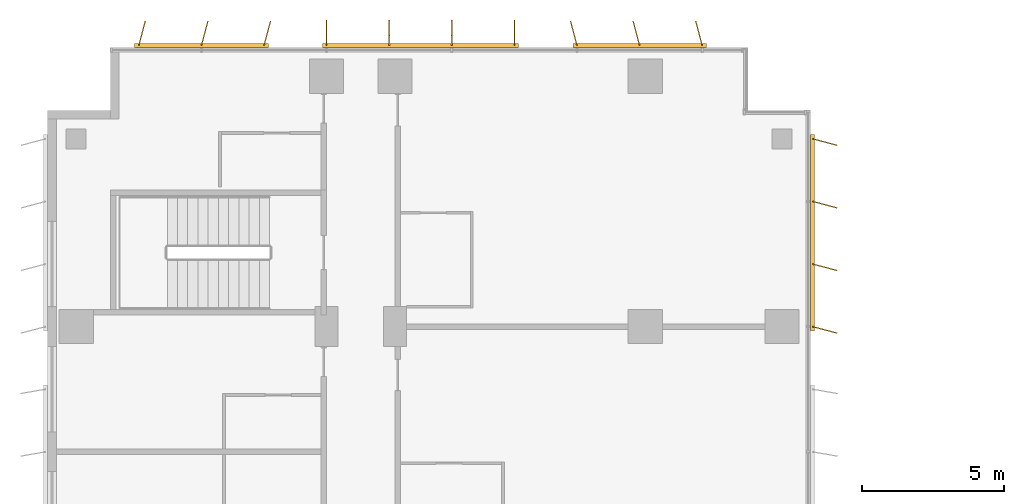
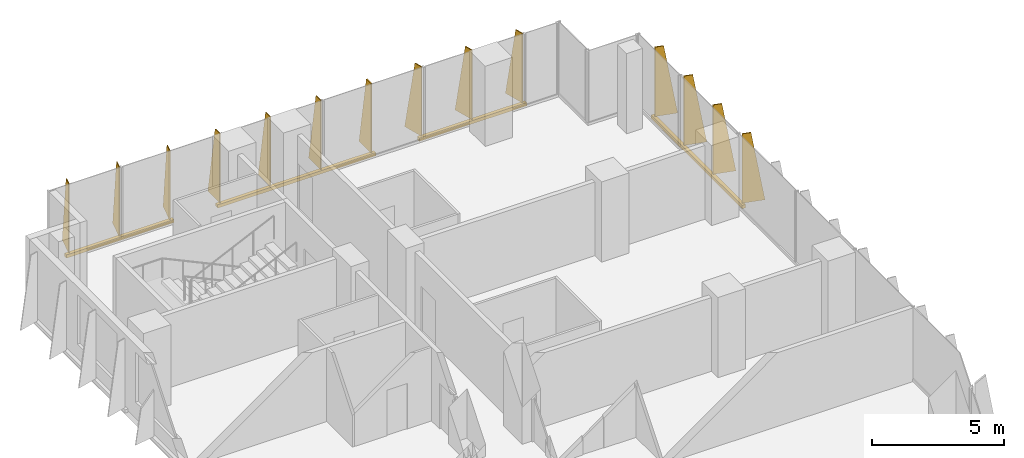
# One storey, part 22 of 22: 4 shading devices.
"""IFC4 building model written with IfcOpenShell, lengths in metres."""

from ifc_helpers import new_model, si_unit, direction, frame, origin, origin_2d, place, context, subcontext, project, spatial, polyline, rectangle, outline, extrude, source, transform, mapped, material, layer, layer_set, type_object, element, save


model = new_model("IFC4")

# Units and contexts
model_context = context("Model", 3, precision=1e-05, world=origin(), true_north=direction((0.0, 1.0)))
body_context = subcontext(model_context, "Body", "Model", "MODEL_VIEW")
ifc_project = project(units=[si_unit("LENGTHUNIT", "METRE"), si_unit("AREAUNIT", "SQUARE_METRE"), si_unit("VOLUMEUNIT", "CUBIC_METRE"), si_unit("PLANEANGLEUNIT", "RADIAN"), si_unit("MASSUNIT", "GRAM", prefix="KILO")], contexts=[model_context])

# Site, building, storey
site_placement = place(None, origin())
site = spatial("IfcSite", under=ifc_project, at=site_placement, CompositionType="ELEMENT")
building_placement = place(site_placement, origin())
building = spatial("IfcBuilding", under=site, at=building_placement, Name="Kemantara Hotel Tower", CompositionType="ELEMENT")
storey_placement = place(building_placement, frame((0.0, 0.0, 107.39990234375)))
storey = spatial("IfcBuildingStorey", under=building, at=storey_placement, Name="L25", CompositionType="ELEMENT", Elevation=107.39990234375)

# Shading devices
ifc_material = material(Name="Perforated aluminium plate 4 mm bronze anodised", Category="aluminium")
ifc_layer_1 = layer(ifc_material, 0.0400390625)
ifc_layer_set_1 = layer_set([ifc_layer_1], Name="Perforated aluminium plate 4 mm bronze anodised")
shading_device_type_1 = type_object("IfcShadingDeviceType", Name="SCREEN FIN CASSETTE, 3 BLADES AT -15.0 DEG, 3200 HIGH", PredefinedType="USERDEFINED", material=ifc_layer_set_1)
shared_shape_1 = source(origin(), body_context, "Body", "SweptSolid", [
    extrude(rectangle(XDim=4.699951171875, YDim=0.14990234375, at=origin_2d()), frame((2.199951171875, -0.074951171875, -0.14990234375), z_axis=(0.0, 0.0, 1.0), x_axis=(1.0, 0.0, 0.0)), (0.0, 0.0, 1.0), 0.14990234375),
    extrude(outline(polyline([(0.0, 0.0), (0.89990234375, 0.0), (0.35009765625, 3.199951171875), (0.0, 3.199951171875), (0.0, 0.0)])), frame((0.019287109375, -0.080078125, 0.0), z_axis=(-0.966437683387, 0.256901156343, 0.0), x_axis=(-0.256901156343, -0.966437683387, 0.0)), (0.0, 0.0, 1.0), 0.039794921875),
    extrude(outline(polyline([(0.0, 0.0), (0.89990234375, 0.0), (0.35009765625, 3.199951171875), (0.0, 3.199951171875), (0.0, 0.0)])), frame((2.21923828125, -0.080078125, 0.0), z_axis=(-0.966437683387, 0.256901156343, 0.0), x_axis=(-0.256901156343, -0.966437683387, 0.0)), (0.0, 0.0, 1.0), 0.039794921875),
    extrude(outline(polyline([(0.0, 0.0), (0.89990234375, 0.0), (0.35009765625, 3.199951171875), (0.0, 3.199951171875), (0.0, 0.0)])), frame((4.41943359375, -0.080078125, 0.0), z_axis=(-0.966837822169, 0.255391122837, 0.0), x_axis=(-0.255391122837, -0.966837822169, 0.0)), (0.0, 0.0, 1.0), 0.0400390625),
])
shading_device_1_placement = place(storey_placement, frame((7.60009765625, 81.199951171875, 0.10009765625), z_axis=(0.0, 0.0, 1.0), x_axis=(-1.0, 0.0, 0.0)))
element("IfcShadingDevice", 1, at=shading_device_1_placement, inside=storey, type_object=shading_device_type_1, Name="SCREEN FIN CASSETTE L25 T2-R01-3", ObjectType="SCREEN FIN", PredefinedType="USERDEFINED", context=body_context, shape_type="MappedRepresentation", body=[
    mapped(shared_shape_1, transform((0.0, 0.0, 0.0))),
])
ifc_layer_2 = layer(ifc_material, 0.0400390625)
ifc_layer_set_2 = layer_set([ifc_layer_2], Name="Perforated aluminium plate 4 mm bronze anodised")
shading_device_type_2 = type_object("IfcShadingDeviceType", Name="SCREEN FIN CASSETTE, 4 BLADES AT +0.0 DEG, 3200 HIGH", PredefinedType="USERDEFINED", material=ifc_layer_set_2)
shared_shape_2 = source(origin(), body_context, "Body", "SweptSolid", [
    extrude(rectangle(XDim=6.89990234375, YDim=0.14990234375, at=origin_2d()), frame((3.300048828125, -0.074951171875, -0.14990234375), z_axis=(0.0, 0.0, 1.0), x_axis=(1.0, 0.0, 0.0)), (0.0, 0.0, 1.0), 0.14990234375),
    extrude(outline(polyline([(0.0, 0.0), (0.89990234375, 0.0), (0.35009765625, 3.199951171875), (0.0, 3.199951171875), (0.0, 0.0)])), frame((0.02001953125, -0.074951171875, 0.0), z_axis=(-1.0, 0.0, 0.0), x_axis=(0.0, -1.0, 0.0)), (0.0, 0.0, 1.0), 0.0400390625),
    extrude(outline(polyline([(0.0, 0.0), (0.89990234375, 0.0), (0.35009765625, 3.199951171875), (0.0, 3.199951171875), (0.0, 0.0)])), frame((2.219970703125, -0.074951171875, 0.0), z_axis=(-1.0, 0.0, 0.0), x_axis=(0.0, -1.0, 0.0)), (0.0, 0.0, 1.0), 0.0400390625),
    extrude(outline(polyline([(0.0, 0.0), (0.89990234375, 0.0), (0.35009765625, 3.199951171875), (0.0, 3.199951171875), (0.0, 0.0)])), frame((4.419921875, -0.074951171875, 0.0), z_axis=(-1.0, 0.0, 0.0), x_axis=(0.0, -1.0, 0.0)), (0.0, 0.0, 1.0), 0.0400390625),
    extrude(outline(polyline([(0.0, 0.0), (0.89990234375, 0.0), (0.35009765625, 3.199951171875), (0.0, 3.199951171875), (0.0, 0.0)])), frame((6.6201171875, -0.074951171875, 0.0), z_axis=(-1.0, 0.0, 0.0), x_axis=(0.0, -1.0, 0.0)), (0.0, 0.0, 1.0), 0.0400390625),
])
shading_device_2_placement = place(storey_placement, frame((16.39990234375, 81.199951171875, 0.10009765625), z_axis=(0.0, 0.0, 1.0), x_axis=(-1.0, 0.0, 0.0)))
element("IfcShadingDevice", 2, at=shading_device_2_placement, inside=storey, type_object=shading_device_type_2, Name="SCREEN FIN CASSETTE L25 T2-R01-2", ObjectType="SCREEN FIN", PredefinedType="USERDEFINED", context=body_context, shape_type="MappedRepresentation", body=[
    mapped(shared_shape_2, transform((0.0, 0.0, 0.0))),
])
ifc_layer_3 = layer(ifc_material, 0.0400390625)
ifc_layer_set_3 = layer_set([ifc_layer_3], Name="Perforated aluminium plate 4 mm bronze anodised")
shading_device_type_3 = type_object("IfcShadingDeviceType", Name="SCREEN FIN CASSETTE, 3 BLADES AT +15.0 DEG, 3200 HIGH", PredefinedType="USERDEFINED", material=ifc_layer_set_3)
shared_shape_3 = source(origin(), body_context, "Body", "SweptSolid", [
    extrude(rectangle(XDim=4.699951171875, YDim=0.14990234375, at=origin_2d()), frame((2.199951171875, -0.074951171875, -0.14990234375), z_axis=(0.0, 0.0, 1.0), x_axis=(1.0, 0.0, 0.0)), (0.0, 0.0, 1.0), 0.14990234375),
    extrude(outline(polyline([(0.0, 0.0), (0.89990234375, 0.0), (0.35009765625, 3.199951171875), (0.0, 3.199951171875), (0.0, 0.0)])), frame((0.019287109375, -0.06982421875, 0.0), z_axis=(-0.966437683387, -0.256901156343, 0.0), x_axis=(0.256901156343, -0.966437683387, 0.0)), (0.0, 0.0, 1.0), 0.039794921875),
    extrude(outline(polyline([(0.0, 0.0), (0.89990234375, 0.0), (0.35009765625, 3.199951171875), (0.0, 3.199951171875), (0.0, 0.0)])), frame((2.21923828125, -0.06982421875, 0.0), z_axis=(-0.966437683387, -0.256901156343, 0.0), x_axis=(0.256901156343, -0.966437683387, 0.0)), (0.0, 0.0, 1.0), 0.039794921875),
    extrude(outline(polyline([(0.0, 0.0), (0.89990234375, 0.0), (0.35009765625, 3.199951171875), (0.0, 3.199951171875), (0.0, 0.0)])), frame((4.41943359375, -0.06982421875, 0.0), z_axis=(-0.966837822169, -0.255391122837, 0.0), x_axis=(0.255391122837, -0.966837822169, 0.0)), (0.0, 0.0, 1.0), 0.0400390625),
])
shading_device_3_placement = place(storey_placement, frame((23.0, 81.199951171875, 0.10009765625), z_axis=(0.0, 0.0, 1.0), x_axis=(-1.0, 0.0, 0.0)))
element("IfcShadingDevice", 3, at=shading_device_3_placement, inside=storey, type_object=shading_device_type_3, Name="SCREEN FIN CASSETTE L25 T2-R01-1", ObjectType="SCREEN FIN", PredefinedType="USERDEFINED", context=body_context, shape_type="MappedRepresentation", body=[
    mapped(shared_shape_3, transform((0.0, 0.0, 0.0))),
])
ifc_layer_4 = layer(ifc_material, 0.0400390625)
ifc_layer_set_4 = layer_set([ifc_layer_4], Name="Perforated aluminium plate 4 mm bronze anodised")
shading_device_type_4 = type_object("IfcShadingDeviceType", Name="SCREEN FIN CASSETTE, 4 BLADES AT -15.0 DEG, 3200 HIGH", PredefinedType="USERDEFINED", material=ifc_layer_set_4)
shared_shape_4 = source(origin(), body_context, "Body", "SweptSolid", [
    extrude(rectangle(XDim=6.89990234375, YDim=0.14990234375, at=origin_2d()), frame((3.300048828125, -0.074951171875, -0.14990234375), z_axis=(0.0, 0.0, 1.0), x_axis=(1.0, 0.0, 0.0)), (0.0, 0.0, 1.0), 0.14990234375),
    extrude(outline(polyline([(0.0, 0.0), (0.89990234375, 0.0), (0.35009765625, 3.199951171875), (0.0, 3.199951171875), (0.0, 0.0)])), frame((0.019287109375, -0.080078125, 0.0), z_axis=(-0.966437683387, 0.256901156343, 0.0), x_axis=(-0.256901156343, -0.966437683387, 0.0)), (0.0, 0.0, 1.0), 0.039794921875),
    extrude(outline(polyline([(0.0, 0.0), (0.89990234375, 0.0), (0.35009765625, 3.199951171875), (0.0, 3.199951171875), (0.0, 0.0)])), frame((2.21923828125, -0.080078125, 0.0), z_axis=(-0.966437683387, 0.256901156343, 0.0), x_axis=(-0.256901156343, -0.966437683387, 0.0)), (0.0, 0.0, 1.0), 0.039794921875),
    extrude(outline(polyline([(0.0, 0.0), (0.89990234375, 0.0), (0.35009765625, 3.199951171875), (0.0, 3.199951171875), (0.0, 0.0)])), frame((4.41943359375, -0.080078125, 0.0), z_axis=(-0.966837822169, 0.255391122837, 0.0), x_axis=(-0.255391122837, -0.966837822169, 0.0)), (0.0, 0.0, 1.0), 0.0400390625),
    extrude(outline(polyline([(0.0, 0.0), (0.89990234375, 0.0), (0.35009765625, 3.199951171875), (0.0, 3.199951171875), (0.0, 0.0)])), frame((6.619384765625, -0.080078125, 0.0), z_axis=(-0.966837822169, 0.255391122837, 0.0), x_axis=(-0.255391122837, -0.966837822169, 0.0)), (0.0, 0.0, 1.0), 0.0400390625),
])
shading_device_4_placement = place(storey_placement, frame((26.800048828125, 71.39990234375, 0.10009765625), z_axis=(0.0, 0.0, 1.0), x_axis=(0.0, 1.0, 0.0)))
element("IfcShadingDevice", 4, at=shading_device_4_placement, inside=storey, type_object=shading_device_type_4, Name="SCREEN FIN CASSETTE L25 T2-R14-7", ObjectType="SCREEN FIN", PredefinedType="USERDEFINED", context=body_context, shape_type="MappedRepresentation", body=[
    mapped(shared_shape_4, transform((0.0, 0.0, 0.0))),
])

save(model, "model.ifc")
